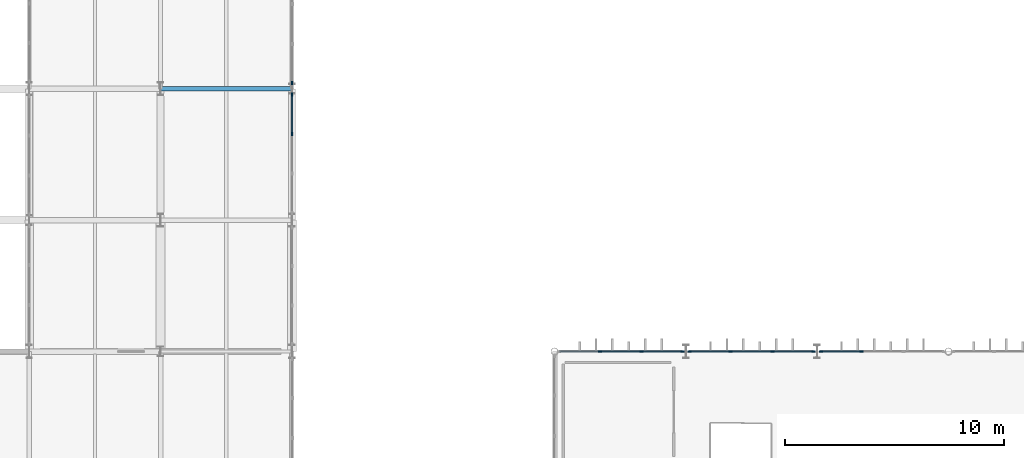
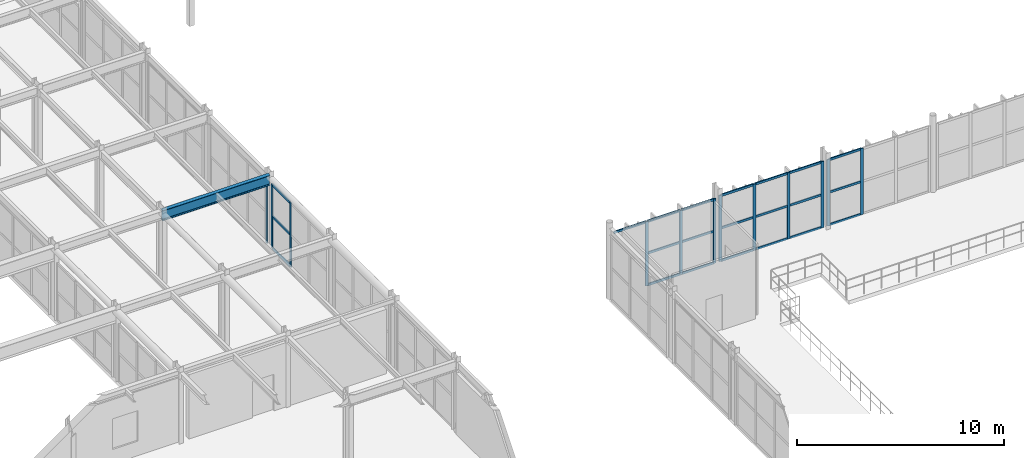
# One storey, part 33 of 96: 34 members, 1 beam, 5 elements without a shape of their own.
"""IFC4 building model written with IfcOpenShell, lengths in metres."""

from ifc_helpers import new_model, si_unit, direction, frame, origin, origin_2d, place, context, subcontext, project, spatial, rectangle, i_section, extrude, material, material_profile, profile_set, type_object, element, aggregate, save


model = new_model("IFC4")

# Units and contexts
model_context = context("Model", 3, precision=1e-05, world=origin(), true_north=direction((0.0, 1.0)))
body_context = subcontext(model_context, "Body", "Model", "MODEL_VIEW")
ifc_project = project(units=[si_unit("LENGTHUNIT", "METRE"), si_unit("AREAUNIT", "SQUARE_METRE"), si_unit("VOLUMEUNIT", "CUBIC_METRE"), si_unit("PLANEANGLEUNIT", "RADIAN"), si_unit("MASSUNIT", "GRAM", prefix="KILO")], contexts=[model_context])

# Site, building, storey
site_placement = place(None, origin())
site = spatial("IfcSite", under=ifc_project, at=site_placement, CompositionType="ELEMENT")
building_placement = place(site_placement, origin())
building = spatial("IfcBuilding", under=site, at=building_placement, Name="Varnakota Square Police Headquarters", CompositionType="ELEMENT")
storey_placement = place(building_placement, frame((0.0, 0.0, 4.800048828125)))
storey = spatial("IfcBuildingStorey", under=building, at=storey_placement, Name="L01", CompositionType="ELEMENT", Elevation=4.800048828125)

# Beam
ifc_material_1 = material(Name="Steel IS 2062 Grade 350", Category="steel")
ifc_material_profile_1 = material_profile(ifc_material_1, i_section(OverallWidth=0.2099609375, OverallDepth=0.60009765625, WebThickness=0.011962890625, FlangeThickness=0.020751953125, FilletRadius=0.02001953125, at=origin_2d()), Name="ISMB 600")
ifc_profile_set_1 = profile_set([ifc_material_profile_1], Name="Steel IS 2062 Grade 350")
beam_type = type_object("IfcBeamType", Name="BM-ISMB600", PredefinedType="BEAM", material=ifc_profile_set_1)
beam_placement = place(storey_placement, frame((36.0, 51.0, 3.89990234375), z_axis=(1.0, 0.0, 0.0), x_axis=(0.0, 1.0, 0.0)))
element("IfcBeam", 1, at=beam_placement, inside=storey, type_object=beam_type, Name="BMG-L01-1405", PredefinedType="BEAM", context=body_context, shape_type="SweptSolid", body=[
    extrude(i_section(OverallWidth=0.2099609375, OverallDepth=0.60009765625, WebThickness=0.011962890625, FlangeThickness=0.020751953125, FilletRadius=0.02001953125, at=origin_2d()), origin(), (0.0, 0.0, 1.0), 6.0),
])

# Curtain wall, members
ifc_material_2 = material(Name="Anodised Aluminium Framing", Category="aluminium")
curtain_wall_type_1 = type_object("IfcCurtainWallType", Name="CW-SYS-B", PredefinedType="NOTDEFINED", material=ifc_material_2)
curtain_wall_1_placement = place(storey_placement, origin())
curtain_wall_1 = element("IfcCurtainWall", 2, at=curtain_wall_1_placement, inside=storey, type_object=curtain_wall_type_1, Name="Unitised curtain wall CWG-L01-021", PredefinedType="NOTDEFINED")
ifc_material_3 = material(Name="Anodised Aluminium 6063-T6", Category="aluminium")
ifc_material_profile_2 = material_profile(ifc_material_3, rectangle(XDim=0.06494140625, YDim=0.159912109375, at=origin_2d()), Name="ALU MULLION 65x160")
ifc_profile_set_2 = profile_set([ifc_material_profile_2], Name="Anodised Aluminium 6063-T6")
member_type_1 = type_object("IfcMemberType", Name="CWM-150", PredefinedType="MULLION", material=ifc_profile_set_2)
member_1_placement = place(storey_placement, frame((56.06787109375, 39.0, 0.0), z_axis=(0.0, 0.0, 1.0), x_axis=(0.0, 1.0, 0.0)))
member_1 = element("IfcMember", 3, at=member_1_placement, type_object=member_type_1, Name="CWG-L01-021 mullion 2", PredefinedType="MULLION", context=body_context, shape_type="SweptSolid", body=[
    extrude(rectangle(XDim=0.06494140625, YDim=0.159912109375, at=origin_2d()), origin(), (0.0, 0.0, 1.0), 3.7900390625),
])
member_2_placement = place(storey_placement, frame((57.968994140625, 39.0, 0.0), z_axis=(0.0, 0.0, 1.0), x_axis=(0.0, 1.0, 0.0)))
member_2 = element("IfcMember", 4, at=member_2_placement, type_object=member_type_1, Name="CWG-L01-021 mullion 3", PredefinedType="MULLION", context=body_context, shape_type="SweptSolid", body=[
    extrude(rectangle(XDim=0.06494140625, YDim=0.159912109375, at=origin_2d()), origin(), (0.0, 0.0, 1.0), 3.7900390625),
])
member_3_placement = place(storey_placement, frame((59.83740234375, 39.0, 0.0), z_axis=(0.0, 0.0, 1.0), x_axis=(0.0, 1.0, 0.0)))
member_3 = element("IfcMember", 5, at=member_3_placement, type_object=member_type_1, Name="CWG-L01-021 mullion 4", PredefinedType="MULLION", context=body_context, shape_type="SweptSolid", body=[
    extrude(rectangle(XDim=0.06494140625, YDim=0.159912109375, at=origin_2d()), origin(), (0.0, 0.0, 1.0), 3.7900390625),
])

curtain_wall_2_placement = place(storey_placement, origin())
curtain_wall_2 = element("IfcCurtainWall", 6, at=curtain_wall_2_placement, inside=storey, type_object=curtain_wall_type_1, Name="Unitised curtain wall CWG-L01-022", PredefinedType="NOTDEFINED")
member_4_placement = place(storey_placement, frame((60.16259765625, 39.0, 0.0), z_axis=(0.0, 0.0, 1.0), x_axis=(0.0, 1.0, 0.0)))
member_4 = element("IfcMember", 7, at=member_4_placement, type_object=member_type_1, Name="CWG-L01-022 mullion 1", PredefinedType="MULLION", context=body_context, shape_type="SweptSolid", body=[
    extrude(rectangle(XDim=0.06494140625, YDim=0.159912109375, at=origin_2d()), origin(), (0.0, 0.0, 1.0), 3.889892578125),
])
member_5_placement = place(storey_placement, frame((62.043212890625, 39.0, 0.0), z_axis=(0.0, 0.0, 1.0), x_axis=(0.0, 1.0, 0.0)))
member_5 = element("IfcMember", 8, at=member_5_placement, type_object=member_type_1, Name="CWG-L01-022 mullion 2", PredefinedType="MULLION", context=body_context, shape_type="SweptSolid", body=[
    extrude(rectangle(XDim=0.06494140625, YDim=0.159912109375, at=origin_2d()), origin(), (0.0, 0.0, 1.0), 3.889892578125),
])
member_6_placement = place(storey_placement, frame((63.956787109375, 39.0, 0.0), z_axis=(0.0, 0.0, 1.0), x_axis=(0.0, 1.0, 0.0)))
member_6 = element("IfcMember", 9, at=member_6_placement, type_object=member_type_1, Name="CWG-L01-022 mullion 3", PredefinedType="MULLION", context=body_context, shape_type="SweptSolid", body=[
    extrude(rectangle(XDim=0.06494140625, YDim=0.159912109375, at=origin_2d()), origin(), (0.0, 0.0, 1.0), 3.889892578125),
])
member_7_placement = place(storey_placement, frame((65.83740234375, 39.0, 0.0), z_axis=(0.0, 0.0, 1.0), x_axis=(0.0, 1.0, 0.0)))
member_7 = element("IfcMember", 10, at=member_7_placement, type_object=member_type_1, Name="CWG-L01-022 mullion 4", PredefinedType="MULLION", context=body_context, shape_type="SweptSolid", body=[
    extrude(rectangle(XDim=0.06494140625, YDim=0.159912109375, at=origin_2d()), origin(), (0.0, 0.0, 1.0), 3.889892578125),
])

curtain_wall_3_placement = place(storey_placement, origin())
curtain_wall_3 = element("IfcCurtainWall", 11, at=curtain_wall_3_placement, inside=storey, type_object=curtain_wall_type_1, Name="Unitised curtain wall CWG-L01-023", PredefinedType="NOTDEFINED")
member_8_placement = place(storey_placement, frame((66.16259765625, 39.0, 0.0), z_axis=(0.0, 0.0, 1.0), x_axis=(0.0, 1.0, 0.0)))
member_8 = element("IfcMember", 12, at=member_8_placement, type_object=member_type_1, Name="CWG-L01-023 mullion 1", PredefinedType="MULLION", context=body_context, shape_type="SweptSolid", body=[
    extrude(rectangle(XDim=0.06494140625, YDim=0.159912109375, at=origin_2d()), origin(), (0.0, 0.0, 1.0), 3.889892578125),
])
member_9_placement = place(storey_placement, frame((68.031005859375, 39.0, 0.0), z_axis=(0.0, 0.0, 1.0), x_axis=(0.0, 1.0, 0.0)))
member_9 = element("IfcMember", 13, at=member_9_placement, type_object=member_type_1, Name="CWG-L01-023 mullion 2", PredefinedType="MULLION", context=body_context, shape_type="SweptSolid", body=[
    extrude(rectangle(XDim=0.06494140625, YDim=0.159912109375, at=origin_2d()), origin(), (0.0, 0.0, 1.0), 3.889892578125),
])

curtain_wall_type_2 = type_object("IfcCurtainWallType", Name="CW-SYS-D", PredefinedType="NOTDEFINED", material=ifc_material_2)
curtain_wall_4_placement = place(storey_placement, origin())
curtain_wall_4 = element("IfcCurtainWall", 14, at=curtain_wall_4_placement, inside=storey, type_object=curtain_wall_type_2, Name="Unitised curtain wall CWG-L01-143", PredefinedType="NOTDEFINED")
member_10_placement = place(storey_placement, frame((42.0, 48.9482421875, 0.0), z_axis=(0.0, 0.0, 1.0), x_axis=(-1.0, 0.0, 0.0)))
member_10 = element("IfcMember", 15, at=member_10_placement, type_object=member_type_1, Name="CWG-L01-143 mullion 3", PredefinedType="MULLION", context=body_context, shape_type="SweptSolid", body=[
    extrude(rectangle(XDim=0.06494140625, YDim=0.159912109375, at=origin_2d()), origin(), (0.0, 0.0, 1.0), 3.783447265625),
])
member_11_placement = place(storey_placement, frame((42.0, 50.737548828125, 0.0), z_axis=(0.0, 0.0, 1.0), x_axis=(-1.0, 0.0, 0.0)))
member_11 = element("IfcMember", 16, at=member_11_placement, type_object=member_type_1, Name="CWG-L01-143 mullion 4", PredefinedType="MULLION", context=body_context, shape_type="SweptSolid", body=[
    extrude(rectangle(XDim=0.06494140625, YDim=0.159912109375, at=origin_2d()), origin(), (0.0, 0.0, 1.0), 3.783447265625),
])

# Curtain wall, member
curtain_wall_5_placement = place(storey_placement, origin())
curtain_wall_5 = element("IfcCurtainWall", 17, at=curtain_wall_5_placement, inside=storey, type_object=curtain_wall_type_2, Name="Unitised curtain wall CWG-L01-144", PredefinedType="NOTDEFINED")
member_12_placement = place(storey_placement, frame((42.0, 51.262451171875, 0.0), z_axis=(0.0, 0.0, 1.0), x_axis=(-1.0, 0.0, 0.0)))
member_12 = element("IfcMember", 18, at=member_12_placement, type_object=member_type_1, Name="CWG-L01-144 mullion 1", PredefinedType="MULLION", context=body_context, shape_type="SweptSolid", body=[
    extrude(rectangle(XDim=0.06494140625, YDim=0.159912109375, at=origin_2d()), origin(), (0.0, 0.0, 1.0), 3.68994140625),
])
aggregate(curtain_wall_5, [member_12])

# Member
ifc_material_profile_3 = material_profile(ifc_material_3, rectangle(XDim=0.06494140625, YDim=0.1298828125, at=origin_2d()), Name="ALU TRANSOM 65x130")
ifc_profile_set_3 = profile_set([ifc_material_profile_3], Name="Anodised Aluminium 6063-T6")
member_type_2 = type_object("IfcMemberType", Name="CWT-120", PredefinedType="USERDEFINED", material=ifc_profile_set_3)
member_13_placement = place(storey_placement, frame((54.23193359375, 39.0, 3.757568359375), z_axis=(1.0, 0.0, 0.0), x_axis=(0.0, 1.0, 0.0)))
member_13 = element("IfcMember", 19, at=member_13_placement, type_object=member_type_2, Name="CWG-L01-021 transom 1.3", ObjectType="TRANSOM", PredefinedType="USERDEFINED", context=body_context, shape_type="SweptSolid", body=[
    extrude(rectangle(XDim=0.06494140625, YDim=0.1298828125, at=origin_2d()), origin(), (0.0, 0.0, 1.0), 1.803466796875),
])

member_14_placement = place(storey_placement, frame((56.100341796875, 39.0, 0.032470703125), z_axis=(1.0, 0.0, 0.0), x_axis=(0.0, 1.0, 0.0)))
member_14 = element("IfcMember", 20, at=member_14_placement, type_object=member_type_2, Name="CWG-L01-021 transom 2.1", ObjectType="TRANSOM", PredefinedType="USERDEFINED", context=body_context, shape_type="SweptSolid", body=[
    extrude(rectangle(XDim=0.06494140625, YDim=0.1298828125, at=origin_2d()), origin(), (0.0, 0.0, 1.0), 1.836181640625),
])

member_15_placement = place(storey_placement, frame((56.100341796875, 39.0, 1.89501953125), z_axis=(1.0, 0.0, 0.0), x_axis=(0.0, 1.0, 0.0)))
member_15 = element("IfcMember", 21, at=member_15_placement, type_object=member_type_2, Name="CWG-L01-021 transom 2.2", ObjectType="TRANSOM", PredefinedType="USERDEFINED", context=body_context, shape_type="SweptSolid", body=[
    extrude(rectangle(XDim=0.06494140625, YDim=0.1298828125, at=origin_2d()), origin(), (0.0, 0.0, 1.0), 1.836181640625),
])

member_16_placement = place(storey_placement, frame((56.100341796875, 39.0, 3.757568359375), z_axis=(1.0, 0.0, 0.0), x_axis=(0.0, 1.0, 0.0)))
member_16 = element("IfcMember", 22, at=member_16_placement, type_object=member_type_2, Name="CWG-L01-021 transom 2.3", ObjectType="TRANSOM", PredefinedType="USERDEFINED", context=body_context, shape_type="SweptSolid", body=[
    extrude(rectangle(XDim=0.06494140625, YDim=0.1298828125, at=origin_2d()), origin(), (0.0, 0.0, 1.0), 1.836181640625),
])

member_17_placement = place(storey_placement, frame((58.00146484375, 39.0, 0.032470703125), z_axis=(1.0, 0.0, 0.0), x_axis=(0.0, 1.0, 0.0)))
member_17 = element("IfcMember", 23, at=member_17_placement, type_object=member_type_2, Name="CWG-L01-021 transom 3.1", ObjectType="TRANSOM", PredefinedType="USERDEFINED", context=body_context, shape_type="SweptSolid", body=[
    extrude(rectangle(XDim=0.06494140625, YDim=0.1298828125, at=origin_2d()), origin(), (0.0, 0.0, 1.0), 1.803466796875),
])

member_18_placement = place(storey_placement, frame((58.00146484375, 39.0, 1.89501953125), z_axis=(1.0, 0.0, 0.0), x_axis=(0.0, 1.0, 0.0)))
member_18 = element("IfcMember", 24, at=member_18_placement, type_object=member_type_2, Name="CWG-L01-021 transom 3.2", ObjectType="TRANSOM", PredefinedType="USERDEFINED", context=body_context, shape_type="SweptSolid", body=[
    extrude(rectangle(XDim=0.06494140625, YDim=0.1298828125, at=origin_2d()), origin(), (0.0, 0.0, 1.0), 1.803466796875),
])

member_19_placement = place(storey_placement, frame((58.00146484375, 39.0, 3.757568359375), z_axis=(1.0, 0.0, 0.0), x_axis=(0.0, 1.0, 0.0)))
member_19 = element("IfcMember", 25, at=member_19_placement, type_object=member_type_2, Name="CWG-L01-021 transom 3.3", ObjectType="TRANSOM", PredefinedType="USERDEFINED", context=body_context, shape_type="SweptSolid", body=[
    extrude(rectangle(XDim=0.06494140625, YDim=0.1298828125, at=origin_2d()), origin(), (0.0, 0.0, 1.0), 1.803466796875),
])

aggregate(curtain_wall_1, [member_1, member_2, member_3, member_13, member_14, member_15, member_16, member_17, member_18, member_19])

member_20_placement = place(storey_placement, frame((60.195068359375, 39.0, 0.032470703125), z_axis=(1.0, 0.0, 0.0), x_axis=(0.0, 1.0, 0.0)))
member_20 = element("IfcMember", 26, at=member_20_placement, type_object=member_type_2, Name="CWG-L01-022 transom 1.1", ObjectType="TRANSOM", PredefinedType="USERDEFINED", context=body_context, shape_type="SweptSolid", body=[
    extrude(rectangle(XDim=0.06494140625, YDim=0.1298828125, at=origin_2d()), origin(), (0.0, 0.0, 1.0), 1.815673828125),
])

member_21_placement = place(storey_placement, frame((60.195068359375, 39.0, 1.945068359375), z_axis=(1.0, 0.0, 0.0), x_axis=(0.0, 1.0, 0.0)))
member_21 = element("IfcMember", 27, at=member_21_placement, type_object=member_type_2, Name="CWG-L01-022 transom 1.2", ObjectType="TRANSOM", PredefinedType="USERDEFINED", context=body_context, shape_type="SweptSolid", body=[
    extrude(rectangle(XDim=0.06494140625, YDim=0.1298828125, at=origin_2d()), origin(), (0.0, 0.0, 1.0), 1.815673828125),
])

member_22_placement = place(storey_placement, frame((60.195068359375, 39.0, 3.857421875), z_axis=(1.0, 0.0, 0.0), x_axis=(0.0, 1.0, 0.0)))
member_22 = element("IfcMember", 28, at=member_22_placement, type_object=member_type_2, Name="CWG-L01-022 transom 1.3", ObjectType="TRANSOM", PredefinedType="USERDEFINED", context=body_context, shape_type="SweptSolid", body=[
    extrude(rectangle(XDim=0.06494140625, YDim=0.1298828125, at=origin_2d()), origin(), (0.0, 0.0, 1.0), 1.815673828125),
])

member_23_placement = place(storey_placement, frame((62.075927734375, 39.0, 0.032470703125), z_axis=(1.0, 0.0, 0.0), x_axis=(0.0, 1.0, 0.0)))
member_23 = element("IfcMember", 29, at=member_23_placement, type_object=member_type_2, Name="CWG-L01-022 transom 2.1", ObjectType="TRANSOM", PredefinedType="USERDEFINED", context=body_context, shape_type="SweptSolid", body=[
    extrude(rectangle(XDim=0.06494140625, YDim=0.1298828125, at=origin_2d()), origin(), (0.0, 0.0, 1.0), 1.84814453125),
])

member_24_placement = place(storey_placement, frame((62.075927734375, 39.0, 1.945068359375), z_axis=(1.0, 0.0, 0.0), x_axis=(0.0, 1.0, 0.0)))
member_24 = element("IfcMember", 30, at=member_24_placement, type_object=member_type_2, Name="CWG-L01-022 transom 2.2", ObjectType="TRANSOM", PredefinedType="USERDEFINED", context=body_context, shape_type="SweptSolid", body=[
    extrude(rectangle(XDim=0.06494140625, YDim=0.1298828125, at=origin_2d()), origin(), (0.0, 0.0, 1.0), 1.84814453125),
])

member_25_placement = place(storey_placement, frame((62.075927734375, 39.0, 3.857421875), z_axis=(1.0, 0.0, 0.0), x_axis=(0.0, 1.0, 0.0)))
member_25 = element("IfcMember", 31, at=member_25_placement, type_object=member_type_2, Name="CWG-L01-022 transom 2.3", ObjectType="TRANSOM", PredefinedType="USERDEFINED", context=body_context, shape_type="SweptSolid", body=[
    extrude(rectangle(XDim=0.06494140625, YDim=0.1298828125, at=origin_2d()), origin(), (0.0, 0.0, 1.0), 1.84814453125),
])

member_26_placement = place(storey_placement, frame((63.9892578125, 39.0, 0.032470703125), z_axis=(1.0, 0.0, 0.0), x_axis=(0.0, 1.0, 0.0)))
member_26 = element("IfcMember", 32, at=member_26_placement, type_object=member_type_2, Name="CWG-L01-022 transom 3.1", ObjectType="TRANSOM", PredefinedType="USERDEFINED", context=body_context, shape_type="SweptSolid", body=[
    extrude(rectangle(XDim=0.06494140625, YDim=0.1298828125, at=origin_2d()), origin(), (0.0, 0.0, 1.0), 1.815673828125),
])

member_27_placement = place(storey_placement, frame((63.9892578125, 39.0, 1.945068359375), z_axis=(1.0, 0.0, 0.0), x_axis=(0.0, 1.0, 0.0)))
member_27 = element("IfcMember", 33, at=member_27_placement, type_object=member_type_2, Name="CWG-L01-022 transom 3.2", ObjectType="TRANSOM", PredefinedType="USERDEFINED", context=body_context, shape_type="SweptSolid", body=[
    extrude(rectangle(XDim=0.06494140625, YDim=0.1298828125, at=origin_2d()), origin(), (0.0, 0.0, 1.0), 1.815673828125),
])

member_28_placement = place(storey_placement, frame((63.9892578125, 39.0, 3.857421875), z_axis=(1.0, 0.0, 0.0), x_axis=(0.0, 1.0, 0.0)))
member_28 = element("IfcMember", 34, at=member_28_placement, type_object=member_type_2, Name="CWG-L01-022 transom 3.3", ObjectType="TRANSOM", PredefinedType="USERDEFINED", context=body_context, shape_type="SweptSolid", body=[
    extrude(rectangle(XDim=0.06494140625, YDim=0.1298828125, at=origin_2d()), origin(), (0.0, 0.0, 1.0), 1.815673828125),
])

aggregate(curtain_wall_2, [member_4, member_5, member_6, member_7, member_20, member_21, member_22, member_23, member_24, member_25, member_26, member_27, member_28])

member_29_placement = place(storey_placement, frame((66.195068359375, 39.0, 0.032470703125), z_axis=(1.0, 0.0, 0.0), x_axis=(0.0, 1.0, 0.0)))
member_29 = element("IfcMember", 35, at=member_29_placement, type_object=member_type_2, Name="CWG-L01-023 transom 1.1", ObjectType="TRANSOM", PredefinedType="USERDEFINED", context=body_context, shape_type="SweptSolid", body=[
    extrude(rectangle(XDim=0.06494140625, YDim=0.1298828125, at=origin_2d()), origin(), (0.0, 0.0, 1.0), 1.803466796875),
])

member_30_placement = place(storey_placement, frame((66.195068359375, 39.0, 1.945068359375), z_axis=(1.0, 0.0, 0.0), x_axis=(0.0, 1.0, 0.0)))
member_30 = element("IfcMember", 36, at=member_30_placement, type_object=member_type_2, Name="CWG-L01-023 transom 1.2", ObjectType="TRANSOM", PredefinedType="USERDEFINED", context=body_context, shape_type="SweptSolid", body=[
    extrude(rectangle(XDim=0.06494140625, YDim=0.1298828125, at=origin_2d()), origin(), (0.0, 0.0, 1.0), 1.803466796875),
])

member_31_placement = place(storey_placement, frame((66.195068359375, 39.0, 3.857421875), z_axis=(1.0, 0.0, 0.0), x_axis=(0.0, 1.0, 0.0)))
member_31 = element("IfcMember", 37, at=member_31_placement, type_object=member_type_2, Name="CWG-L01-023 transom 1.3", ObjectType="TRANSOM", PredefinedType="USERDEFINED", context=body_context, shape_type="SweptSolid", body=[
    extrude(rectangle(XDim=0.06494140625, YDim=0.1298828125, at=origin_2d()), origin(), (0.0, 0.0, 1.0), 1.803466796875),
])

aggregate(curtain_wall_3, [member_8, member_9, member_29, member_30, member_31])

member_32_placement = place(storey_placement, frame((42.0, 48.980712890625, 0.032470703125), z_axis=(0.0, 1.0, 0.0), x_axis=(-1.0, 0.0, 0.0)))
member_32 = element("IfcMember", 38, at=member_32_placement, type_object=member_type_2, Name="CWG-L01-143 transom 3.1", ObjectType="TRANSOM", PredefinedType="USERDEFINED", context=body_context, shape_type="SweptSolid", body=[
    extrude(rectangle(XDim=0.06494140625, YDim=0.1298828125, at=origin_2d()), origin(), (0.0, 0.0, 1.0), 1.724365234375),
])

member_33_placement = place(storey_placement, frame((42.0, 48.980712890625, 1.891845703125), z_axis=(0.0, 1.0, 0.0), x_axis=(-1.0, 0.0, 0.0)))
member_33 = element("IfcMember", 39, at=member_33_placement, type_object=member_type_2, Name="CWG-L01-143 transom 3.2", ObjectType="TRANSOM", PredefinedType="USERDEFINED", context=body_context, shape_type="SweptSolid", body=[
    extrude(rectangle(XDim=0.06494140625, YDim=0.1298828125, at=origin_2d()), origin(), (0.0, 0.0, 1.0), 1.724365234375),
])

member_34_placement = place(storey_placement, frame((42.0, 48.980712890625, 3.7509765625), z_axis=(0.0, 1.0, 0.0), x_axis=(-1.0, 0.0, 0.0)))
member_34 = element("IfcMember", 40, at=member_34_placement, type_object=member_type_2, Name="CWG-L01-143 transom 3.3", ObjectType="TRANSOM", PredefinedType="USERDEFINED", context=body_context, shape_type="SweptSolid", body=[
    extrude(rectangle(XDim=0.06494140625, YDim=0.1298828125, at=origin_2d()), origin(), (0.0, 0.0, 1.0), 1.724365234375),
])

aggregate(curtain_wall_4, [member_10, member_11, member_32, member_33, member_34])

save(model, "model.ifc")
